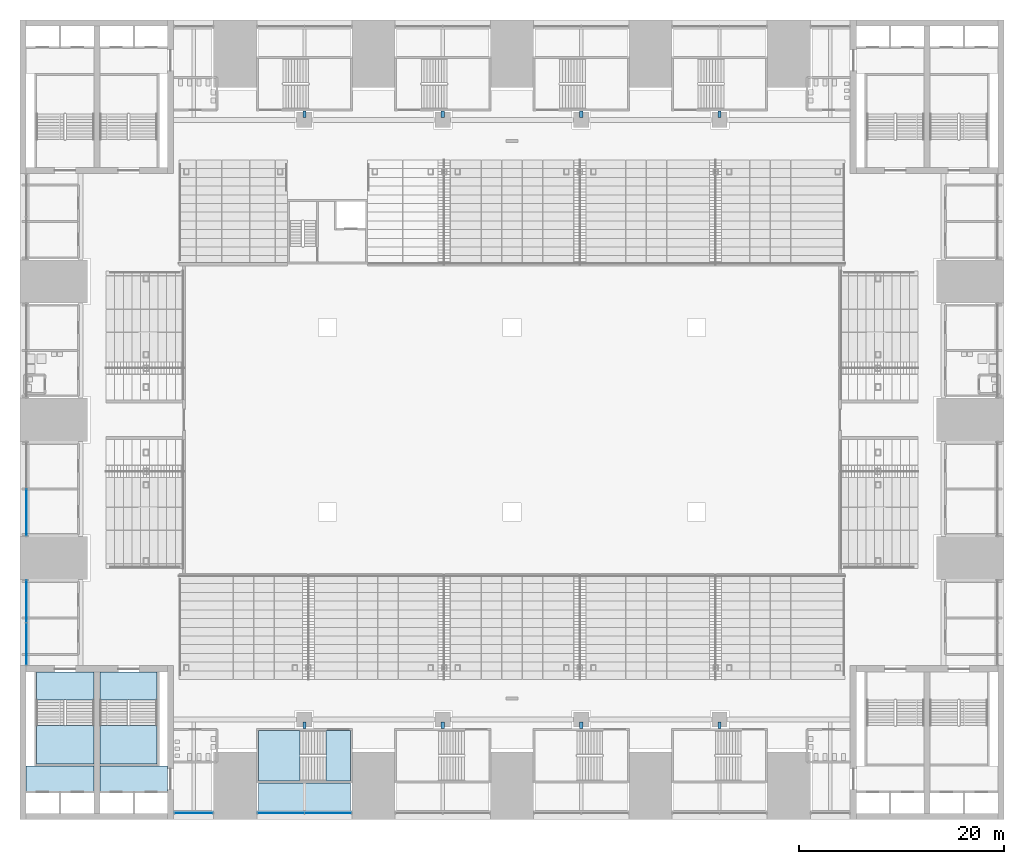
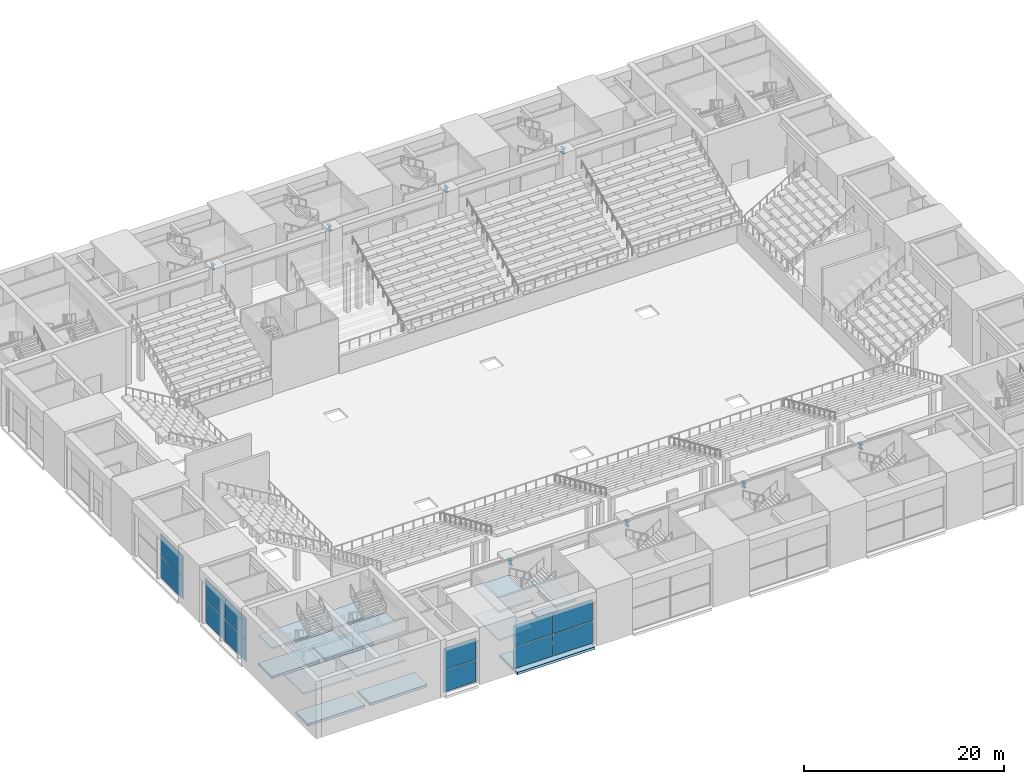
# One storey, part 12 of 62: 15 slabs, 12 plates, 8 beams, 7 elements without a shape of their own.
"""IFC4 building model written with IfcOpenShell, lengths in metres."""

import ifcopenshell
import ifcopenshell.guid

model = None  # the IFC model being written
_history = None  # IfcOwnerHistory: only IFC2X3 demands one
_inside = {}  # id of a spatial element -> (the spatial element, [elements in it])
_under = {}  # id of a project, library or spatial element -> (it, [spatial elements below it])
_declared = {}  # id of a project -> (the project, [libraries it declares])
_typed = {}  # id of a type object -> (the type object, [elements of that type])
_made_of = {}  # id of a material, layer set ... -> (it, [elements and type objects made of it])


def new_model(schema):
    """Start an empty IFC model of exactly this schema.

    Asked for "IFC4X3", IfcOpenShell would pick the latest addendum, in which some entities
    have other attributes; the version numbers below select the first issue.
    IFC2X3 requires an IfcOwnerHistory on every rooted entity: one is made here for all.
    """
    global model, _history
    if schema == "IFC4X3":
        model = ifcopenshell.file(schema_version=(4, 3, 0, 0))
    else:
        model = ifcopenshell.file(schema=schema)
    _inside.clear()
    _under.clear()
    _declared.clear()
    _typed.clear()
    _made_of.clear()
    _history = None
    if model.schema == "IFC2X3":
        org = make("IfcOrganization", Name="unknown")
        user = make(
            "IfcPersonAndOrganization",
            ThePerson=make("IfcPerson", FamilyName="unknown"),
            TheOrganization=org,
        )
        app = make(
            "IfcApplication",
            ApplicationDeveloper=org,
            Version="unknown",
            ApplicationFullName="unknown",
            ApplicationIdentifier="unknown",
        )
        _history = make(
            "IfcOwnerHistory",
            OwningUser=user,
            OwningApplication=app,
            ChangeAction="ADDED",
            CreationDate=0,
        )
    return model


def make(cls, **values):
    """One entity of the class cls with the attributes given. An attribute that is None is left unset."""
    return model.create_entity(
        cls, **{name: value for name, value in values.items() if value is not None}
    )


def rooted(cls, **values):
    """An entity with a GlobalId (a new one), such as an element, a storey or a relation."""
    return make(cls, GlobalId=ifcopenshell.guid.new(), OwnerHistory=_history, **values)


def si_unit(unit_type, name, prefix=None):
    """IfcSIUnit, for example si_unit("LENGTHUNIT", "METRE", prefix="MILLI")."""
    return make("IfcSIUnit", UnitType=unit_type, Prefix=prefix, Name=name)


def assignment(units):
    """IfcUnitAssignment: the units of a project."""
    return None if units is None else make("IfcUnitAssignment", Units=units)


def point(xyz):
    """IfcCartesianPoint."""
    return None if xyz is None else make("IfcCartesianPoint", Coordinates=xyz)


def direction(xyz):
    """IfcDirection."""
    return None if xyz is None else make("IfcDirection", DirectionRatios=xyz)


def frame(location, z_axis=None, x_axis=None):
    """IfcAxis2Placement3D, a coordinate frame: its origin and axes. An axis left out is left unset."""
    return make(
        "IfcAxis2Placement3D",
        Location=point(location),
        Axis=direction(z_axis),
        RefDirection=direction(x_axis),
    )


def frame_2d(location, x_axis=None):
    """IfcAxis2Placement2D, a coordinate frame in the plane: its origin and x axis."""
    return make(
        "IfcAxis2Placement2D", Location=point(location), RefDirection=direction(x_axis)
    )


def origin():
    """The frame at (0, 0, 0) with its axes left unset."""
    return frame((0.0, 0.0, 0.0))


def origin_2d():
    """The frame at (0, 0) in the plane with its x axis left unset."""
    return frame_2d((0.0, 0.0))


def place(relative_to, where):
    """IfcLocalPlacement: puts the frame where relative to a parent placement (None: the world)."""
    return make(
        "IfcLocalPlacement", PlacementRelTo=relative_to, RelativePlacement=where
    )


def context(
    kind, dimensions, precision=None, world=None, true_north=None, identifier=None
):
    """IfcGeometricRepresentationContext, for example the 3D "Model" context."""
    return make(
        "IfcGeometricRepresentationContext",
        ContextIdentifier=identifier,
        ContextType=kind,
        CoordinateSpaceDimension=dimensions,
        Precision=precision,
        WorldCoordinateSystem=world,
        TrueNorth=true_north,
    )


def subcontext(parent, identifier, kind, view, scale=None):
    """IfcGeometricRepresentationSubContext, for example "Body" below "Model"."""
    return make(
        "IfcGeometricRepresentationSubContext",
        ContextIdentifier=identifier,
        ContextType=kind,
        ParentContext=parent,
        TargetScale=scale,
        TargetView=view,
    )


def project(units=None, contexts=None):
    """IfcProject with its units and contexts."""
    return rooted(
        "IfcProject",
        Name="project",
        RepresentationContexts=contexts,
        UnitsInContext=assignment(units),
    )


def spatial(cls, under=None, at=None, **own):
    """A site, building, storey or space (cls), placed at a placement, below another one or the project."""
    s = rooted(cls, ObjectPlacement=at, **own)
    if under is not None:
        _under.setdefault(under.id(), (under, []))[1].append(s)
    return s


def polyline(points):
    """IfcPolyline through the points."""
    return make("IfcPolyline", Points=[point(p) for p in points])


def profile(cls, at=None, kind="AREA", **sizes):
    """A parametric profile (cls). Its sizes go by their IFC names, for example OverallWidth=200.0."""
    return make(cls, ProfileType=kind, Position=at, **sizes)


def rectangle(**sizes):
    """IfcRectangleProfileDef."""
    return profile("IfcRectangleProfileDef", **sizes)


def i_section(**sizes):
    """IfcIShapeProfileDef."""
    return profile("IfcIShapeProfileDef", **sizes)


def outline(outer, holes=None, kind="AREA"):
    """IfcArbitraryClosedProfileDef: a profile drawn as a closed curve; with holes, ...WithVoids."""
    if holes is None:
        return make("IfcArbitraryClosedProfileDef", ProfileType=kind, OuterCurve=outer)
    return make(
        "IfcArbitraryProfileDefWithVoids",
        ProfileType=kind,
        OuterCurve=outer,
        InnerCurves=holes,
    )


def extrude(swept, where, along, depth):
    """IfcExtrudedAreaSolid: the profile swept, set in the frame where, extruded along a direction by depth."""
    return make(
        "IfcExtrudedAreaSolid",
        SweptArea=swept,
        Position=where,
        ExtrudedDirection=direction(along),
        Depth=depth,
    )


def shape(context_of_items, identifier, shape_type, items):
    """IfcShapeRepresentation: the items that make up one representation, for example the "Body"."""
    return make(
        "IfcShapeRepresentation",
        ContextOfItems=context_of_items,
        RepresentationIdentifier=identifier,
        RepresentationType=shape_type,
        Items=items,
    )


def material(Name=None, Category=None):
    """IfcMaterial."""
    return make("IfcMaterial", Name=Name, Category=Category)


def layer(
    of_material, thickness, ventilated=None, Name=None, Category=None, Priority=None
):
    """IfcMaterialLayer: one layer of a wall or slab, of a material (None: an air gap)."""
    return make(
        "IfcMaterialLayer",
        Material=of_material,
        LayerThickness=thickness,
        IsVentilated=ventilated,
        Name=Name,
        Category=Category,
        Priority=Priority,
    )


def layer_set(layers, Name=None):
    """IfcMaterialLayerSet."""
    return make("IfcMaterialLayerSet", MaterialLayers=layers, LayerSetName=Name)


def material_profile(
    of_material, cross_section, Name=None, Category=None, Priority=None
):
    """IfcMaterialProfile: a cross section and its material."""
    return make(
        "IfcMaterialProfile",
        Name=Name,
        Material=of_material,
        Profile=cross_section,
        Priority=Priority,
        Category=Category,
    )


def profile_set(profiles, Name=None, composite=None):
    """IfcMaterialProfileSet."""
    return make(
        "IfcMaterialProfileSet",
        Name=Name,
        MaterialProfiles=profiles,
        CompositeProfile=composite,
    )


def made_of(thing, what):
    """Note that an element or type object is made of a material, layer set ...; save() writes the relation."""
    if what is not None:
        _made_of.setdefault(what.id(), (what, []))[1].append(thing)
    return thing


def type_object(cls, material=None, **own):
    """A type object (cls), such as IfcWallType, which elements share."""
    return made_of(rooted(cls, **own), material)


def element(
    cls,
    number,
    at=None,
    inside=None,
    cuts=None,
    type_object=None,
    material=None,
    context=None,
    identifier="Body",
    shape_type=None,
    held_by="IfcProductDefinitionShape",
    body=None,
    shapes=None,
    **own,
):
    """One element of the class cls, such as IfcWall. Its Tag is "e" and its number.

    at: its placement. inside: the storey or other place that contains it. cuts: it is an
    opening in that element (IfcRelVoidsElement). A single representation is given by context,
    identifier, shape_type and body (its items); several are given by shapes. held_by: the class
    of the entity that holds the representations. save() writes the other relations.
    """
    e = rooted(cls, Tag="e%d" % number, ObjectPlacement=at, **own)
    if body is not None:
        shapes = [shape(context, identifier, shape_type, body)]
    if shapes is not None:
        e.Representation = make(held_by, Representations=shapes)
    if inside is not None:
        _inside.setdefault(inside.id(), (inside, []))[1].append(e)
    if cuts is not None:
        rooted(
            "IfcRelVoidsElement", RelatingBuildingElement=cuts, RelatedOpeningElement=e
        )
    if type_object is not None:
        _typed.setdefault(type_object.id(), (type_object, []))[1].append(e)
    return made_of(e, material)


def aggregate(whole, parts):
    """IfcRelAggregates: a whole, such as a stair, and the parts it consists of."""
    return rooted("IfcRelAggregates", RelatingObject=whole, RelatedObjects=parts)


def save(model, path):
    """Write the relations noted so far, then the file.

    IfcRelAggregates (storeys below a building ...), IfcRelContainedInSpatialStructure (elements
    in a storey), IfcRelDefinesByType, IfcRelAssociatesMaterial and IfcRelDeclares: one each for
    every whole, place, type object, material and project.
    """
    for whole, parts in _under.values():
        aggregate(whole, parts)
    for where, things in _inside.values():
        rooted(
            "IfcRelContainedInSpatialStructure",
            RelatedElements=things,
            RelatingStructure=where,
        )
    for kind, things in _typed.values():
        rooted("IfcRelDefinesByType", RelatedObjects=things, RelatingType=kind)
    for what, things in _made_of.values():
        rooted("IfcRelAssociatesMaterial", RelatedObjects=things, RelatingMaterial=what)
    for by, libraries in _declared.values():
        rooted("IfcRelDeclares", RelatingContext=by, RelatedDefinitions=libraries)
    model.write(path)


model = new_model("IFC4")

# Units and contexts
model_context = context("Model", 3, precision=1e-05, world=origin(), true_north=direction((0.0, 1.0)))
body_context = subcontext(model_context, "Body", "Model", "MODEL_VIEW")
ifc_project = project(units=[si_unit("LENGTHUNIT", "METRE"), si_unit("AREAUNIT", "SQUARE_METRE"), si_unit("VOLUMEUNIT", "CUBIC_METRE"), si_unit("PLANEANGLEUNIT", "RADIAN"), si_unit("MASSUNIT", "GRAM", prefix="KILO")], contexts=[model_context])

# Site, building, storey
site_placement = place(None, origin())
site = spatial("IfcSite", under=ifc_project, at=site_placement, CompositionType="ELEMENT")
building_placement = place(site_placement, origin())
building = spatial("IfcBuilding", under=site, at=building_placement, Name="Corbelhall Arena Tower", CompositionType="ELEMENT")
storey_placement = place(building_placement, frame((0.0, 0.0, 12.0)))
storey = spatial("IfcBuildingStorey", under=building, at=storey_placement, Name="L01", CompositionType="ELEMENT", Elevation=12.0)

# Beams
ifc_material_1 = material(Name="Steel ASTM A992 Gr50", Category="steel")
ifc_material_profile = material_profile(ifc_material_1, i_section(OverallWidth=0.323974609375, OverallDepth=0.611083984375, WebThickness=0.0126953125, FlangeThickness=0.01904296875, at=origin_2d()))
ifc_profile_set = profile_set([ifc_material_profile], Name="Steel ASTM A992 Gr50")
beam_type = type_object("IfcBeamType", Name="PO-BEAM-W24X104", PredefinedType="BEAM", material=ifc_profile_set)
for number, where, z_axis, x_axis, name in (
    (1, (-20.25, 29.5, 6.39453125), (0.0, 1.0, 0.0), (-1.0, 0.0, 0.0), "CONCOURSE BEAM"),
    (2, (-6.75, 29.5, 6.39453125), (0.0, 1.0, 0.0), (-1.0, 0.0, 0.0), "CONCOURSE BEAM"),
    (3, (6.75, 29.5, 6.39453125), (0.0, 1.0, 0.0), (-1.0, 0.0, 0.0), "CONCOURSE BEAM"),
    (4, (20.25, 29.5, 6.39453125), (0.0, 1.0, 0.0), (-1.0, 0.0, 0.0), "CONCOURSE BEAM"),
    (5, (-20.25, -29.5, 6.39453125), (0.0, -1.0, 0.0), (1.0, 0.0, 0.0), "CONCOURSE BEAM"),
    (6, (-6.75, -29.5, 6.39453125), (0.0, -1.0, 0.0), (1.0, 0.0, 0.0), "CONCOURSE BEAM"),
    (7, (6.75, -29.5, 6.39453125), (0.0, -1.0, 0.0), (1.0, 0.0, 0.0), "CONCOURSE BEAM"),
    (8, (20.25, -29.5, 6.39453125), (0.0, -1.0, 0.0), (1.0, 0.0, 0.0), "CONCOURSE BEAM"),
):
    element("IfcBeam", number, at=place(storey_placement, frame(where, z_axis=z_axis, x_axis=x_axis)), inside=storey, type_object=beam_type, Name=name, PredefinedType="BEAM", context=body_context, shape_type="SweptSolid", body=[
        extrude(i_section(OverallWidth=0.323974609375, OverallDepth=0.611083984375, WebThickness=0.0126953125, FlangeThickness=0.01904296875, at=origin_2d()), origin(), (0.0, 0.0, 1.0), 0.60009765625),
    ])

# Stair, slabs
ifc_material_2 = material(Name="Reinforced concrete C40/50", Category="concrete")
stair_type = type_object("IfcStairType", Name="AR-EXIT-STAIR", PredefinedType="HALF_TURN_STAIR", material=ifc_material_2)
stair_1_placement = place(storey_placement, origin())
stair_1 = element("IfcStair", 9, at=stair_1_placement, inside=storey, type_object=stair_type, Name="L01 exit stair AS13", PredefinedType="HALF_TURN_STAIR")
ifc_layer_1 = layer(ifc_material_2, 0.199951171875)
ifc_layer_set_1 = layer_set([ifc_layer_1], Name="AR-EXIT-LANDING")
slab_type_1 = type_object("IfcSlabType", Name="AR-EXIT-LANDING", PredefinedType="LANDING", material=ifc_layer_set_1)
slab_1_placement = place(storey_placement, frame((0.0, 0.0, 1.550048828125)))
slab_1 = element("IfcSlab", 10, at=slab_1_placement, type_object=slab_type_1, Name="AS13 landing 1", PredefinedType="LANDING", context=body_context, shape_type="SweptSolid", body=[
    extrude(outline(polyline([(-20.669921875, -30.300048828125), (-24.75, -30.300048828125), (-24.75, -35.25), (-20.669921875, -35.25), (-20.669921875, -30.300048828125)])), origin(), (0.0, 0.0, 1.0), 0.199951171875),
])
slab_2_placement = place(storey_placement, frame((0.0, 0.0, 3.300048828125)))
slab_2 = element("IfcSlab", 11, at=slab_2_placement, type_object=slab_type_1, Name="AS13 landing 2", PredefinedType="LANDING", context=body_context, shape_type="SweptSolid", body=[
    extrude(outline(polyline([(-15.75, -30.300048828125), (-18.14990234375, -30.300048828125), (-18.14990234375, -35.25), (-15.75, -35.25), (-15.75, -30.300048828125)])), origin(), (0.0, 0.0, 1.0), 0.199951171875),
])
slab_3_placement = place(storey_placement, frame((0.0, 0.0, 5.050048828125)))
slab_3 = element("IfcSlab", 12, at=slab_3_placement, type_object=slab_type_1, Name="AS13 landing 3", PredefinedType="LANDING", context=body_context, shape_type="SweptSolid", body=[
    extrude(outline(polyline([(-20.669921875, -30.300048828125), (-24.75, -30.300048828125), (-24.75, -35.25), (-20.669921875, -35.25), (-20.669921875, -30.300048828125)])), origin(), (0.0, 0.0, 1.0), 0.199951171875),
])
aggregate(stair_1, [slab_1, slab_2, slab_3])

stair_2_placement = place(storey_placement, origin())
stair_2 = element("IfcStair", 13, at=stair_2_placement, inside=storey, type_object=stair_type, Name="L01 exit stair AS7", PredefinedType="HALF_TURN_STAIR")
slab_4_placement = place(storey_placement, frame((0.0, 0.0, 1.550048828125)))
slab_4 = element("IfcSlab", 14, at=slab_4_placement, type_object=slab_type_1, Name="AS7 landing 1", PredefinedType="LANDING", context=body_context, shape_type="SweptSolid", body=[
    extrude(outline(polyline([(-40.199951171875, -29.840087890625), (-40.199951171875, -33.60009765625), (-34.610107421875, -33.60009765625), (-34.610107421875, -29.840087890625), (-40.199951171875, -29.840087890625)])), origin(), (0.0, 0.0, 1.0), 0.199951171875),
])
slab_5_placement = place(storey_placement, frame((0.0, 0.0, 3.300048828125)))
slab_5 = element("IfcSlab", 15, at=slab_5_placement, type_object=slab_type_1, Name="AS7 landing 2", PredefinedType="LANDING", context=body_context, shape_type="SweptSolid", body=[
    extrude(outline(polyline([(-40.199951171875, -24.60009765625), (-40.199951171875, -27.320068359375), (-34.610107421875, -27.320068359375), (-34.610107421875, -24.60009765625), (-40.199951171875, -24.60009765625)])), origin(), (0.0, 0.0, 1.0), 0.199951171875),
])
slab_6_placement = place(storey_placement, frame((0.0, 0.0, 5.050048828125)))
slab_6 = element("IfcSlab", 16, at=slab_6_placement, type_object=slab_type_1, Name="AS7 landing 3", PredefinedType="LANDING", context=body_context, shape_type="SweptSolid", body=[
    extrude(outline(polyline([(-40.199951171875, -29.840087890625), (-40.199951171875, -33.60009765625), (-34.610107421875, -33.60009765625), (-34.610107421875, -29.840087890625), (-40.199951171875, -29.840087890625)])), origin(), (0.0, 0.0, 1.0), 0.199951171875),
])
aggregate(stair_2, [slab_4, slab_5, slab_6])

stair_3_placement = place(storey_placement, origin())
stair_3 = element("IfcStair", 17, at=stair_3_placement, inside=storey, type_object=stair_type, Name="L01 exit stair AS8", PredefinedType="HALF_TURN_STAIR")
slab_7_placement = place(storey_placement, frame((0.0, 0.0, 1.550048828125)))
slab_7 = element("IfcSlab", 18, at=slab_7_placement, type_object=slab_type_1, Name="AS8 landing 1", PredefinedType="LANDING", context=body_context, shape_type="SweptSolid", body=[
    extrude(outline(polyline([(-46.389892578125, -29.840087890625), (-46.389892578125, -33.60009765625), (-40.800048828125, -33.60009765625), (-40.800048828125, -29.840087890625), (-46.389892578125, -29.840087890625)])), origin(), (0.0, 0.0, 1.0), 0.199951171875),
])
slab_8_placement = place(storey_placement, frame((0.0, 0.0, 3.300048828125)))
slab_8 = element("IfcSlab", 19, at=slab_8_placement, type_object=slab_type_1, Name="AS8 landing 2", PredefinedType="LANDING", context=body_context, shape_type="SweptSolid", body=[
    extrude(outline(polyline([(-46.389892578125, -24.60009765625), (-46.389892578125, -27.320068359375), (-40.800048828125, -27.320068359375), (-40.800048828125, -24.60009765625), (-46.389892578125, -24.60009765625)])), origin(), (0.0, 0.0, 1.0), 0.199951171875),
])
slab_9_placement = place(storey_placement, frame((0.0, 0.0, 5.050048828125)))
slab_9 = element("IfcSlab", 20, at=slab_9_placement, type_object=slab_type_1, Name="AS8 landing 3", PredefinedType="LANDING", context=body_context, shape_type="SweptSolid", body=[
    extrude(outline(polyline([(-46.389892578125, -29.840087890625), (-46.389892578125, -33.60009765625), (-40.800048828125, -33.60009765625), (-40.800048828125, -29.840087890625), (-46.389892578125, -29.840087890625)])), origin(), (0.0, 0.0, 1.0), 0.199951171875),
])
aggregate(stair_3, [slab_7, slab_8, slab_9])

# Slabs
ifc_layer_2 = layer(ifc_material_2, 0.300048828125)
ifc_layer_set_2 = layer_set([ifc_layer_2], Name="AR-STAIR-FLOOR")
slab_type_2 = type_object("IfcSlabType", Name="AR-STAIR-FLOOR", PredefinedType="FLOOR", material=ifc_layer_set_2)
slab_10_placement = place(storey_placement, frame((0.0, 0.0, -0.300048828125)))
element("IfcSlab", 21, at=slab_10_placement, inside=storey, type_object=slab_type_2, Name="Stair AS13 floor", PredefinedType="FLOOR", context=body_context, shape_type="SweptSolid", body=[
    extrude(outline(polyline([(-15.75, -30.300048828125), (-15.75, -35.25), (-18.153076171875, -35.25), (-18.153076171875, -30.300048828125), (-15.75, -30.300048828125)])), origin(), (0.0, 0.0, 1.0), 0.300048828125),
])
slab_11_placement = place(storey_placement, frame((0.0, 0.0, -0.300048828125)))
element("IfcSlab", 22, at=slab_11_placement, inside=storey, type_object=slab_type_2, Name="Stair AS7 floor", PredefinedType="FLOOR", context=body_context, shape_type="SweptSolid", body=[
    extrude(outline(polyline([(-40.199951171875, -24.60009765625), (-34.610107421875, -24.60009765625), (-34.610107421875, -27.322998046875), (-40.199951171875, -27.322998046875), (-40.199951171875, -24.60009765625)])), origin(), (0.0, 0.0, 1.0), 0.300048828125),
])
slab_12_placement = place(storey_placement, frame((0.0, 0.0, -0.300048828125)))
element("IfcSlab", 23, at=slab_12_placement, inside=storey, type_object=slab_type_2, Name="Stair AS8 floor", PredefinedType="FLOOR", context=body_context, shape_type="SweptSolid", body=[
    extrude(outline(polyline([(-46.389892578125, -24.60009765625), (-40.800048828125, -24.60009765625), (-40.800048828125, -27.322998046875), (-46.389892578125, -27.322998046875), (-46.389892578125, -24.60009765625)])), origin(), (0.0, 0.0, 1.0), 0.300048828125),
])
slab_13_placement = place(storey_placement, frame((0.0, 0.0, -0.300048828125)))
element("IfcSlab", 24, at=slab_13_placement, inside=storey, type_object=slab_type_2, Name="Lift lobby floor SW", PredefinedType="FLOOR", context=body_context, shape_type="SweptSolid", body=[
    extrude(outline(polyline([(-40.800048828125, -36.300048828125), (-40.800048828125, -33.800048828125), (-47.39990234375, -33.800048828125), (-47.39990234375, -36.300048828125), (-40.800048828125, -36.300048828125)])), origin(), (0.0, 0.0, 1.0), 0.300048828125),
])
slab_14_placement = place(storey_placement, frame((0.0, 0.0, -0.300048828125)))
element("IfcSlab", 25, at=slab_14_placement, inside=storey, type_object=slab_type_2, Name="Lift lobby floor SW", PredefinedType="FLOOR", context=body_context, shape_type="SweptSolid", body=[
    extrude(outline(polyline([(-33.60009765625, -36.300048828125), (-33.60009765625, -33.800048828125), (-40.199951171875, -33.800048828125), (-40.199951171875, -36.300048828125), (-33.60009765625, -36.300048828125)])), origin(), (0.0, 0.0, 1.0), 0.300048828125),
])

# Curtain wall, plates
ifc_material_3 = material(Name="Aluminium black anodised", Category="aluminium")
ifc_layer_3 = layer(ifc_material_3, 0.239990234375)
ifc_layer_set_3 = layer_set([ifc_layer_3], Name="EV-CW4 Arena concourse glazing")
curtain_wall_type = type_object("IfcCurtainWallType", Name="EV-CW4 Arena concourse glazing", PredefinedType="NOTDEFINED", material=ifc_layer_set_3)
curtain_wall_1_placement = place(storey_placement, origin())
curtain_wall_1 = element("IfcCurtainWall", 26, at=curtain_wall_1_placement, inside=storey, type_object=curtain_wall_type, Name="Curtain wall CW4A", PredefinedType="NOTDEFINED")
ifc_material_4 = material(Name="Glass dark tinted laminated", Category="glass")
ifc_layer_4 = layer(ifc_material_4, 0.028076171875)
ifc_layer_set_4 = layer_set([ifc_layer_4], Name="EV-CW4-PANEL")
plate_type = type_object("IfcPlateType", Name="EV-CW4-PANEL", PredefinedType="CURTAIN_PANEL", material=ifc_layer_set_4)
plate_1_placement = place(storey_placement, frame((-31.050048828125, -38.3798828125, 0.0751953125), z_axis=(0.0, 0.0, 1.0), x_axis=(1.0, 0.0, 0.0)))
plate_1 = element("IfcPlate", 27, at=plate_1_placement, type_object=plate_type, Name="CW4A panel 1.1", PredefinedType="CURTAIN_PANEL", context=body_context, shape_type="SweptSolid", body=[
    extrude(rectangle(XDim=3.75, YDim=0.028076171875, at=origin_2d()), origin(), (0.0, 0.0, 1.0), 2.637451171875),
])
plate_2_placement = place(storey_placement, frame((-31.050048828125, -38.3798828125, 2.78759765625), z_axis=(0.0, 0.0, 1.0), x_axis=(1.0, 0.0, 0.0)))
plate_2 = element("IfcPlate", 28, at=plate_2_placement, type_object=plate_type, Name="CW4A panel 1.2", PredefinedType="CURTAIN_PANEL", context=body_context, shape_type="SweptSolid", body=[
    extrude(rectangle(XDim=3.75, YDim=0.028076171875, at=origin_2d()), origin(), (0.0, 0.0, 1.0), 2.637451171875),
])
aggregate(curtain_wall_1, [plate_1, plate_2])

curtain_wall_2_placement = place(storey_placement, origin())
curtain_wall_2 = element("IfcCurtainWall", 29, at=curtain_wall_2_placement, inside=storey, type_object=curtain_wall_type, Name="Curtain wall CW4", PredefinedType="NOTDEFINED")
plate_3_placement = place(storey_placement, frame((-22.55615234375, -38.3798828125, 0.0751953125), z_axis=(0.0, 0.0, 1.0), x_axis=(1.0, 0.0, 0.0)))
plate_3 = element("IfcPlate", 30, at=plate_3_placement, type_object=plate_type, Name="CW4 panel 1.1", PredefinedType="CURTAIN_PANEL", context=body_context, shape_type="SweptSolid", body=[
    extrude(rectangle(XDim=4.53759765625, YDim=0.028076171875, at=origin_2d()), origin(), (0.0, 0.0, 1.0), 2.637451171875),
])
plate_4_placement = place(storey_placement, frame((-22.55615234375, -38.3798828125, 2.78759765625), z_axis=(0.0, 0.0, 1.0), x_axis=(1.0, 0.0, 0.0)))
plate_4 = element("IfcPlate", 31, at=plate_4_placement, type_object=plate_type, Name="CW4 panel 1.2", PredefinedType="CURTAIN_PANEL", context=body_context, shape_type="SweptSolid", body=[
    extrude(rectangle(XDim=4.53759765625, YDim=0.028076171875, at=origin_2d()), origin(), (0.0, 0.0, 1.0), 2.637451171875),
])
plate_5_placement = place(storey_placement, frame((-17.94384765625, -38.3798828125, 0.0751953125), z_axis=(0.0, 0.0, 1.0), x_axis=(1.0, 0.0, 0.0)))
plate_5 = element("IfcPlate", 32, at=plate_5_placement, type_object=plate_type, Name="CW4 panel 2.1", PredefinedType="CURTAIN_PANEL", context=body_context, shape_type="SweptSolid", body=[
    extrude(rectangle(XDim=4.53759765625, YDim=0.028076171875, at=origin_2d()), origin(), (0.0, 0.0, 1.0), 2.637451171875),
])
plate_6_placement = place(storey_placement, frame((-17.94384765625, -38.3798828125, 2.78759765625), z_axis=(0.0, 0.0, 1.0), x_axis=(1.0, 0.0, 0.0)))
plate_6 = element("IfcPlate", 33, at=plate_6_placement, type_object=plate_type, Name="CW4 panel 2.2", PredefinedType="CURTAIN_PANEL", context=body_context, shape_type="SweptSolid", body=[
    extrude(rectangle(XDim=4.53759765625, YDim=0.028076171875, at=origin_2d()), origin(), (0.0, 0.0, 1.0), 2.637451171875),
])
aggregate(curtain_wall_2, [plate_3, plate_4, plate_5, plate_6])

curtain_wall_3_placement = place(storey_placement, origin())
curtain_wall_3 = element("IfcCurtainWall", 34, at=curtain_wall_3_placement, inside=storey, type_object=curtain_wall_type, Name="Curtain wall CW4", PredefinedType="NOTDEFINED")
plate_7_placement = place(storey_placement, frame((-47.3798828125, -9.05615234375, 0.0751953125), z_axis=(0.0, 0.0, 1.0), x_axis=(0.0, -1.0, 0.0)))
plate_7 = element("IfcPlate", 35, at=plate_7_placement, type_object=plate_type, Name="CW4 panel 2.1", PredefinedType="CURTAIN_PANEL", context=body_context, shape_type="SweptSolid", body=[
    extrude(rectangle(XDim=4.53759765625, YDim=0.028076171875, at=origin_2d()), origin(), (0.0, 0.0, 1.0), 2.637451171875),
])
plate_8_placement = place(storey_placement, frame((-47.3798828125, -9.05615234375, 2.78759765625), z_axis=(0.0, 0.0, 1.0), x_axis=(0.0, -1.0, 0.0)))
plate_8 = element("IfcPlate", 36, at=plate_8_placement, type_object=plate_type, Name="CW4 panel 2.2", PredefinedType="CURTAIN_PANEL", context=body_context, shape_type="SweptSolid", body=[
    extrude(rectangle(XDim=4.53759765625, YDim=0.028076171875, at=origin_2d()), origin(), (0.0, 0.0, 1.0), 2.637451171875),
])
aggregate(curtain_wall_3, [plate_7, plate_8])

curtain_wall_4_placement = place(storey_placement, origin())
curtain_wall_4 = element("IfcCurtainWall", 37, at=curtain_wall_4_placement, inside=storey, type_object=curtain_wall_type, Name="Curtain wall CW4B", PredefinedType="NOTDEFINED")
plate_9_placement = place(storey_placement, frame((-47.3798828125, -17.71875, 0.0751953125), z_axis=(0.0, 0.0, 1.0), x_axis=(0.0, -1.0, 0.0)))
plate_9 = element("IfcPlate", 38, at=plate_9_placement, type_object=plate_type, Name="CW4B panel 1.1", PredefinedType="CURTAIN_PANEL", context=body_context, shape_type="SweptSolid", body=[
    extrude(rectangle(XDim=4.08740234375, YDim=0.028076171875, at=origin_2d()), origin(), (0.0, 0.0, 1.0), 2.637451171875),
])
plate_10_placement = place(storey_placement, frame((-47.3798828125, -17.71875, 2.78759765625), z_axis=(0.0, 0.0, 1.0), x_axis=(0.0, -1.0, 0.0)))
plate_10 = element("IfcPlate", 39, at=plate_10_placement, type_object=plate_type, Name="CW4B panel 1.2", PredefinedType="CURTAIN_PANEL", context=body_context, shape_type="SweptSolid", body=[
    extrude(rectangle(XDim=4.08740234375, YDim=0.028076171875, at=origin_2d()), origin(), (0.0, 0.0, 1.0), 2.637451171875),
])
plate_11_placement = place(storey_placement, frame((-47.3798828125, -21.88134765625, 0.0751953125), z_axis=(0.0, 0.0, 1.0), x_axis=(0.0, -1.0, 0.0)))
plate_11 = element("IfcPlate", 40, at=plate_11_placement, type_object=plate_type, Name="CW4B panel 2.1", PredefinedType="CURTAIN_PANEL", context=body_context, shape_type="SweptSolid", body=[
    extrude(rectangle(XDim=4.08740234375, YDim=0.028076171875, at=origin_2d()), origin(), (0.0, 0.0, 1.0), 2.637451171875),
])
plate_12_placement = place(storey_placement, frame((-47.3798828125, -21.88134765625, 2.78759765625), z_axis=(0.0, 0.0, 1.0), x_axis=(0.0, -1.0, 0.0)))
plate_12 = element("IfcPlate", 41, at=plate_12_placement, type_object=plate_type, Name="CW4B panel 2.2", PredefinedType="CURTAIN_PANEL", context=body_context, shape_type="SweptSolid", body=[
    extrude(rectangle(XDim=4.08740234375, YDim=0.028076171875, at=origin_2d()), origin(), (0.0, 0.0, 1.0), 2.637451171875),
])
aggregate(curtain_wall_4, [plate_9, plate_10, plate_11, plate_12])

# Slab
ifc_material_5 = material(Name="Concrete C32/40", Category="concrete")
ifc_layer_5 = layer(ifc_material_5, 0.300048828125)
ifc_layer_set_5 = layer_set([ifc_layer_5], Name="PO-FLOOR-SLAB")
slab_type_3 = type_object("IfcSlabType", Name="PO-FLOOR-SLAB", PredefinedType="FLOOR", material=ifc_layer_set_5)
slab_15_placement = place(storey_placement, frame((0.0, 0.0, -0.300048828125)))
element("IfcSlab", 42, at=slab_15_placement, inside=storey, type_object=slab_type_3, Name="FLOOR SLAB L01 1", PredefinedType="FLOOR", context=body_context, shape_type="SweptSolid", body=[
    extrude(outline(polyline([(-24.75, -39.0), (-24.75, -35.449951171875), (-15.75, -35.449951171875), (-15.75, -39.0), (-24.75, -39.0)])), origin(), (0.0, 0.0, 1.0), 0.300048828125),
])

save(model, "model.ifc")
